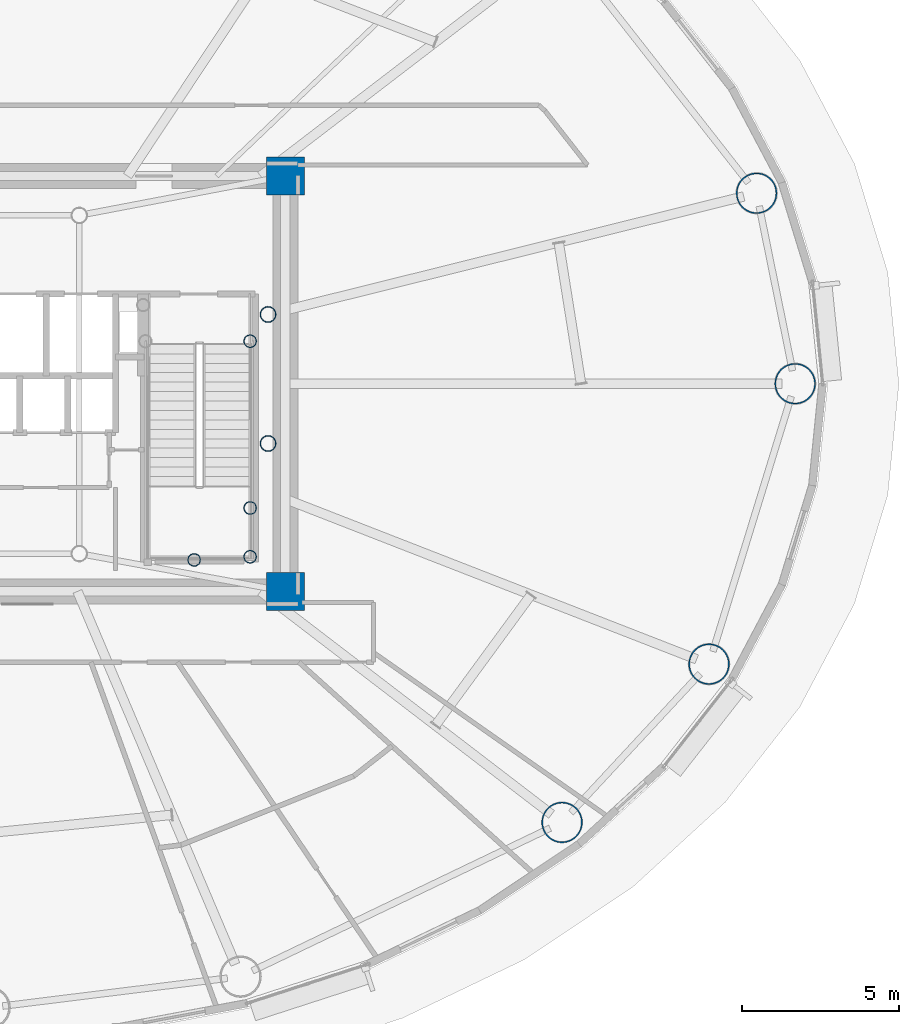
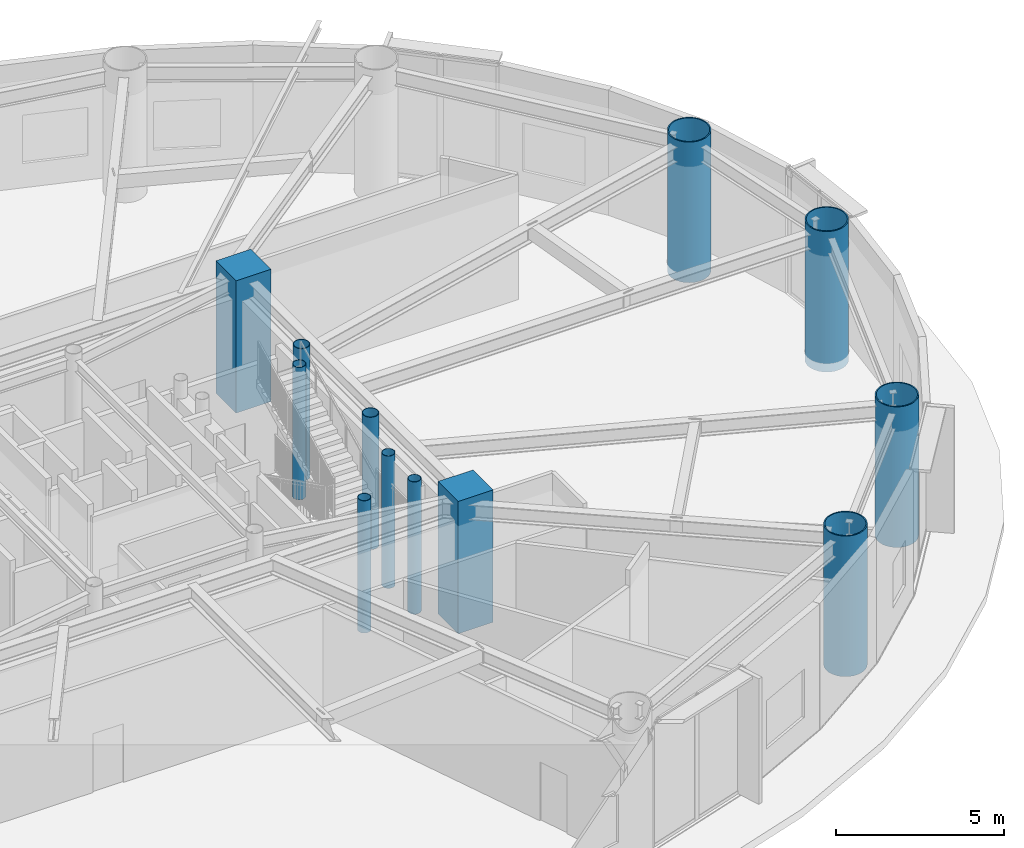
# One storey, part 2 of 38: 12 columns.
"""IFC4 building model written with IfcOpenShell, lengths in metres."""

from ifc_helpers import new_model, si_unit, direction, frame, origin, origin_2d, place, context, subcontext, project, spatial, rectangle, hollow_circle, extrude, material, material_profile, profile_set, type_object, element, save


model = new_model("IFC4")

# Units and contexts
model_context = context("Model", 3, precision=1e-05, world=origin(), true_north=direction((0.0, 1.0)))
body_context = subcontext(model_context, "Body", "Model", "MODEL_VIEW")
ifc_project = project(units=[si_unit("LENGTHUNIT", "METRE"), si_unit("AREAUNIT", "SQUARE_METRE"), si_unit("VOLUMEUNIT", "CUBIC_METRE"), si_unit("PLANEANGLEUNIT", "RADIAN"), si_unit("MASSUNIT", "GRAM", prefix="KILO")], contexts=[model_context])

# Site, building, storey
site_placement = place(None, origin())
site = spatial("IfcSite", under=ifc_project, at=site_placement, CompositionType="ELEMENT")
building_placement = place(site_placement, origin())
building = spatial("IfcBuilding", under=site, at=building_placement, Name="Linh Dai School and Residence Tower", CompositionType="ELEMENT")
storey_placement = place(building_placement, frame((0.0, 0.0, 151.35009765625)))
storey = spatial("IfcBuildingStorey", under=building, at=storey_placement, Name="L36", CompositionType="ELEMENT", Elevation=151.35009765625)

# Columns
ifc_material_1 = material(Name="Concrete B60 (C50/60)", Category="concrete")
ifc_material_profile_1 = material_profile(ifc_material_1, rectangle(XDim=1.199951171875, YDim=1.199951171875, at=origin_2d()), Name="RC 1200x1200")
ifc_profile_set_1 = profile_set([ifc_material_profile_1], Name="Concrete B60 (C50/60)")
column_type_1 = type_object("IfcColumnType", Name="COL-CC2", PredefinedType="COLUMN", material=ifc_profile_set_1)
for number, where, z_axis, x_axis, name in (
    (1, (45.39990234375, 20.39990234375, 0.0), (0.0, 0.0, 1.0), (1.0, 0.0, 0.0), "L36 Core Corner Pier CC2"),
    (2, (45.39990234375, 33.60009765625, 0.0), (0.0, 0.0, 1.0), (1.0, 0.0, 0.0), "L36 Core Corner Pier CC3"),
):
    element("IfcColumn", number, at=place(storey_placement, frame(where, z_axis=z_axis, x_axis=x_axis)), inside=storey, type_object=column_type_1, Name=name, PredefinedType="COLUMN", context=body_context, shape_type="SweptSolid", body=[
        extrude(rectangle(XDim=1.199951171875, YDim=1.199951171875, at=origin_2d()), origin(), (0.0, 0.0, 1.0), 4.7998046875),
    ])
ifc_material_2 = material(Name="Structural Steel S355JR", Category="steel")
ifc_material_profile_2 = material_profile(ifc_material_2, hollow_circle(Radius=0.203125, WallThickness=0.01611328125, at=origin_2d()), Name="CHS 406.4x16")
ifc_profile_set_2 = profile_set([ifc_material_profile_2], Name="Structural Steel S355JR")
column_type_2 = type_object("IfcColumnType", Name="COL-EC", PredefinedType="COLUMN", material=ifc_profile_set_2)
for number, where, z_axis, x_axis, name in (
    (3, (44.280029296875, 21.5, 0.0), (0.0, 0.0, 1.0), (1.0, 0.0, 0.0), "L36 Stair Shaft Landing Support Pier ST2SE"),
    (4, (44.280029296875, 23.050048828125, 0.0), (0.0, 0.0, 1.0), (1.0, 0.0, 0.0), "L36 Stair Shaft Landing Support Pier ST2NE"),
    (5, (42.5, 21.39990234375, 0.0), (0.0, 0.0, 1.0), (1.0, 0.0, 0.0), "L36 Stair Shaft Landing Support Pier ST2MS"),
    (6, (44.280029296875, 28.35009765625, 0.0), (0.0, 0.0, 1.0), (1.0, 0.0, 0.0), "L36 Stair Shaft Landing Support Pier ST2N2"),
):
    element("IfcColumn", number, at=place(storey_placement, frame(where, z_axis=z_axis, x_axis=x_axis)), inside=storey, type_object=column_type_2, Name=name, PredefinedType="COLUMN", context=body_context, shape_type="SweptSolid", body=[
        extrude(hollow_circle(Radius=0.203125, WallThickness=0.01611328125, at=origin_2d()), origin(), (0.0, 0.0, 1.0), 4.7998046875),
    ])
ifc_material_profile_3 = material_profile(ifc_material_2, hollow_circle(Radius=0.64990234375, WallThickness=0.0400390625, at=origin_2d()), Name="CHS 1300x40")
ifc_profile_set_3 = profile_set([ifc_material_profile_3], Name="Structural Steel S355JR")
column_type_3 = type_object("IfcColumnType", Name="COL-MC4", PredefinedType="COLUMN", material=ifc_profile_set_3)
for number, where, z_axis, x_axis, name in (
    (7, (61.60009765625, 27.0, -0.300048828125), (0.0, 0.0, 1.0), (1.0, 0.0, 0.0), "L36 Perimeter CFT Mega-Column MC01"),
    (8, (60.37451171875, 33.053466796875, -0.300048828125), (0.0, 0.0, 1.0), (1.0, 0.0, 0.0), "L36 Perimeter CFT Mega-Column MC02"),
    (9, (54.1923828125, 13.058349609375, -0.300048828125), (0.0, 0.0, 1.0), (1.0, 0.0, 0.0), "L36 Perimeter CFT Mega-Column MC15"),
    (10, (58.862548828125, 18.0888671875, -0.300048828125), (0.0, 0.0, 1.0), (1.0, 0.0, 0.0), "L36 Perimeter CFT Mega-Column MC16"),
):
    element("IfcColumn", number, at=place(storey_placement, frame(where, z_axis=z_axis, x_axis=x_axis)), inside=storey, type_object=column_type_3, Name=name, PredefinedType="COLUMN", context=body_context, shape_type="SweptSolid", body=[
        extrude(hollow_circle(Radius=0.64990234375, WallThickness=0.0400390625, at=origin_2d()), origin(), (0.0, 0.0, 1.0), 5.099853515625),
    ])
ifc_material_profile_4 = material_profile(ifc_material_2, hollow_circle(Radius=0.25390625, WallThickness=0.02001953125, at=origin_2d()), Name="CHS 508x20")
ifc_profile_set_4 = profile_set([ifc_material_profile_4], Name="Structural Steel S355JR")
column_type_4 = type_object("IfcColumnType", Name="COL-MCP", PredefinedType="COLUMN", material=ifc_profile_set_4)
for number, where, z_axis, x_axis, name in (
    (11, (44.85009765625, 25.10009765625, 0.0), (0.0, 0.0, 1.0), (1.0, 0.0, 0.0), "L36 Sky-Lounge Core Anchor Pier S"),
    (12, (44.85009765625, 29.199951171875, 0.0), (0.0, 0.0, 1.0), (1.0, 0.0, 0.0), "L36 Sky-Lounge Core Anchor Pier N"),
):
    element("IfcColumn", number, at=place(storey_placement, frame(where, z_axis=z_axis, x_axis=x_axis)), inside=storey, type_object=column_type_4, Name=name, PredefinedType="COLUMN", context=body_context, shape_type="SweptSolid", body=[
        extrude(hollow_circle(Radius=0.25390625, WallThickness=0.02001953125, at=origin_2d()), origin(), (0.0, 0.0, 1.0), 4.7998046875),
    ])

save(model, "model.ifc")
